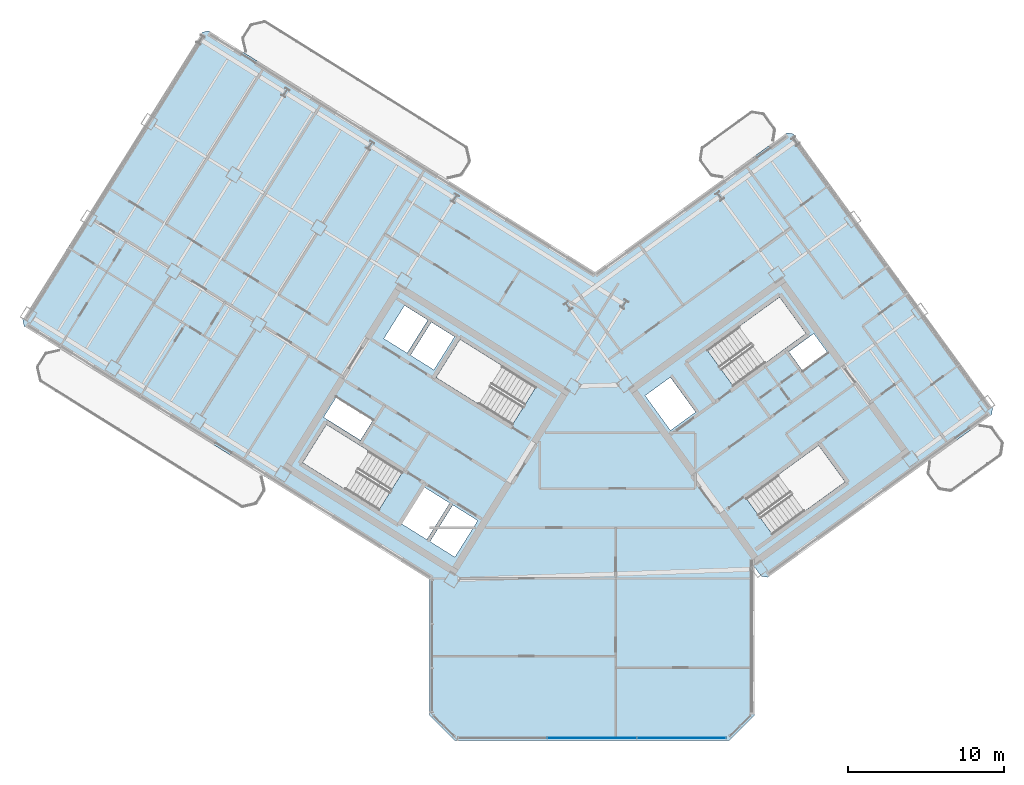
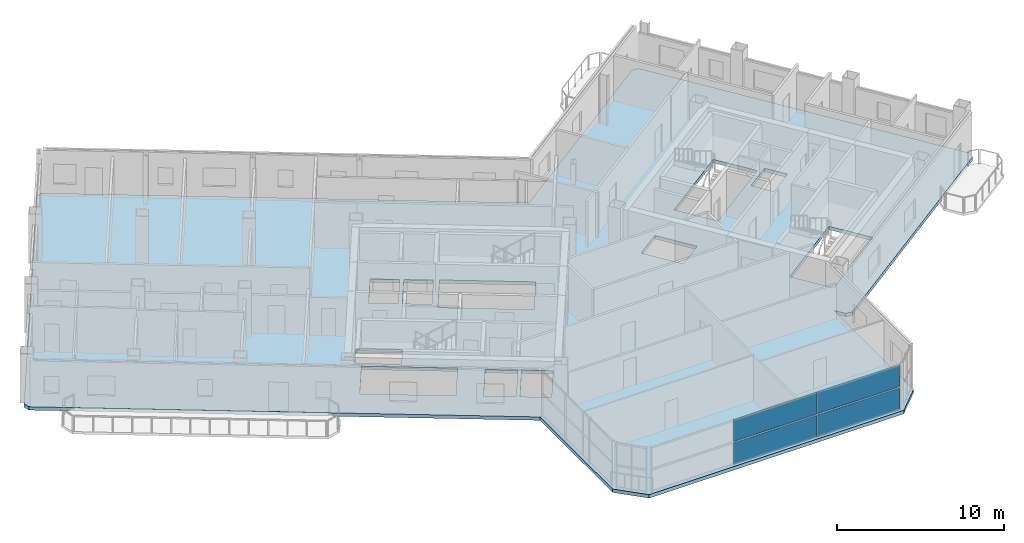
# One storey, part 9 of 21: 4 plates, 1 slab, 1 element without a shape of its own.
"""IFC4 building model written with IfcOpenShell, lengths in metres."""

import ifcopenshell
import ifcopenshell.guid

model = None  # the IFC model being written
_history = None  # IfcOwnerHistory: only IFC2X3 demands one
_inside = {}  # id of a spatial element -> (the spatial element, [elements in it])
_under = {}  # id of a project, library or spatial element -> (it, [spatial elements below it])
_declared = {}  # id of a project -> (the project, [libraries it declares])
_typed = {}  # id of a type object -> (the type object, [elements of that type])
_made_of = {}  # id of a material, layer set ... -> (it, [elements and type objects made of it])


def new_model(schema):
    """Start an empty IFC model of exactly this schema.

    Asked for "IFC4X3", IfcOpenShell would pick the latest addendum, in which some entities
    have other attributes; the version numbers below select the first issue.
    IFC2X3 requires an IfcOwnerHistory on every rooted entity: one is made here for all.
    """
    global model, _history
    if schema == "IFC4X3":
        model = ifcopenshell.file(schema_version=(4, 3, 0, 0))
    else:
        model = ifcopenshell.file(schema=schema)
    _inside.clear()
    _under.clear()
    _declared.clear()
    _typed.clear()
    _made_of.clear()
    _history = None
    if model.schema == "IFC2X3":
        org = make("IfcOrganization", Name="unknown")
        user = make(
            "IfcPersonAndOrganization",
            ThePerson=make("IfcPerson", FamilyName="unknown"),
            TheOrganization=org,
        )
        app = make(
            "IfcApplication",
            ApplicationDeveloper=org,
            Version="unknown",
            ApplicationFullName="unknown",
            ApplicationIdentifier="unknown",
        )
        _history = make(
            "IfcOwnerHistory",
            OwningUser=user,
            OwningApplication=app,
            ChangeAction="ADDED",
            CreationDate=0,
        )
    return model


def make(cls, **values):
    """One entity of the class cls with the attributes given. An attribute that is None is left unset."""
    return model.create_entity(
        cls, **{name: value for name, value in values.items() if value is not None}
    )


def rooted(cls, **values):
    """An entity with a GlobalId (a new one), such as an element, a storey or a relation."""
    return make(cls, GlobalId=ifcopenshell.guid.new(), OwnerHistory=_history, **values)


def si_unit(unit_type, name, prefix=None):
    """IfcSIUnit, for example si_unit("LENGTHUNIT", "METRE", prefix="MILLI")."""
    return make("IfcSIUnit", UnitType=unit_type, Prefix=prefix, Name=name)


def assignment(units):
    """IfcUnitAssignment: the units of a project."""
    return None if units is None else make("IfcUnitAssignment", Units=units)


def point(xyz):
    """IfcCartesianPoint."""
    return None if xyz is None else make("IfcCartesianPoint", Coordinates=xyz)


def direction(xyz):
    """IfcDirection."""
    return None if xyz is None else make("IfcDirection", DirectionRatios=xyz)


def frame(location, z_axis=None, x_axis=None):
    """IfcAxis2Placement3D, a coordinate frame: its origin and axes. An axis left out is left unset."""
    return make(
        "IfcAxis2Placement3D",
        Location=point(location),
        Axis=direction(z_axis),
        RefDirection=direction(x_axis),
    )


def frame_2d(location, x_axis=None):
    """IfcAxis2Placement2D, a coordinate frame in the plane: its origin and x axis."""
    return make(
        "IfcAxis2Placement2D", Location=point(location), RefDirection=direction(x_axis)
    )


def origin():
    """The frame at (0, 0, 0) with its axes left unset."""
    return frame((0.0, 0.0, 0.0))


def origin_2d():
    """The frame at (0, 0) in the plane with its x axis left unset."""
    return frame_2d((0.0, 0.0))


def place(relative_to, where):
    """IfcLocalPlacement: puts the frame where relative to a parent placement (None: the world)."""
    return make(
        "IfcLocalPlacement", PlacementRelTo=relative_to, RelativePlacement=where
    )


def context(
    kind, dimensions, precision=None, world=None, true_north=None, identifier=None
):
    """IfcGeometricRepresentationContext, for example the 3D "Model" context."""
    return make(
        "IfcGeometricRepresentationContext",
        ContextIdentifier=identifier,
        ContextType=kind,
        CoordinateSpaceDimension=dimensions,
        Precision=precision,
        WorldCoordinateSystem=world,
        TrueNorth=true_north,
    )


def subcontext(parent, identifier, kind, view, scale=None):
    """IfcGeometricRepresentationSubContext, for example "Body" below "Model"."""
    return make(
        "IfcGeometricRepresentationSubContext",
        ContextIdentifier=identifier,
        ContextType=kind,
        ParentContext=parent,
        TargetScale=scale,
        TargetView=view,
    )


def project(units=None, contexts=None):
    """IfcProject with its units and contexts."""
    return rooted(
        "IfcProject",
        Name="project",
        RepresentationContexts=contexts,
        UnitsInContext=assignment(units),
    )


def spatial(cls, under=None, at=None, **own):
    """A site, building, storey or space (cls), placed at a placement, below another one or the project."""
    s = rooted(cls, ObjectPlacement=at, **own)
    if under is not None:
        _under.setdefault(under.id(), (under, []))[1].append(s)
    return s


def polyline(points):
    """IfcPolyline through the points."""
    return make("IfcPolyline", Points=[point(p) for p in points])


def profile(cls, at=None, kind="AREA", **sizes):
    """A parametric profile (cls). Its sizes go by their IFC names, for example OverallWidth=200.0."""
    return make(cls, ProfileType=kind, Position=at, **sizes)


def rectangle(**sizes):
    """IfcRectangleProfileDef."""
    return profile("IfcRectangleProfileDef", **sizes)


def outline(outer, holes=None, kind="AREA"):
    """IfcArbitraryClosedProfileDef: a profile drawn as a closed curve; with holes, ...WithVoids."""
    if holes is None:
        return make("IfcArbitraryClosedProfileDef", ProfileType=kind, OuterCurve=outer)
    return make(
        "IfcArbitraryProfileDefWithVoids",
        ProfileType=kind,
        OuterCurve=outer,
        InnerCurves=holes,
    )


def extrude(swept, where, along, depth):
    """IfcExtrudedAreaSolid: the profile swept, set in the frame where, extruded along a direction by depth."""
    return make(
        "IfcExtrudedAreaSolid",
        SweptArea=swept,
        Position=where,
        ExtrudedDirection=direction(along),
        Depth=depth,
    )


def shape(context_of_items, identifier, shape_type, items):
    """IfcShapeRepresentation: the items that make up one representation, for example the "Body"."""
    return make(
        "IfcShapeRepresentation",
        ContextOfItems=context_of_items,
        RepresentationIdentifier=identifier,
        RepresentationType=shape_type,
        Items=items,
    )


def source(mapping_origin, context_of_items, identifier, shape_type, items):
    """IfcRepresentationMap: a shape defined once, which mapped items show again and again."""
    return make(
        "IfcRepresentationMap",
        MappingOrigin=mapping_origin,
        MappedRepresentation=shape(context_of_items, identifier, shape_type, items),
    )


def transform(
    local_origin,
    x_axis=None,
    y_axis=None,
    z_axis=None,
    scale=None,
    scale2=None,
    scale3=None,
    uniform=True,
):
    """IfcCartesianTransformationOperator3D, or its non-uniform kind. x_axis, y_axis, z_axis: its Axis1, 2, 3."""
    if uniform:
        return make(
            "IfcCartesianTransformationOperator3D",
            Axis1=direction(x_axis),
            Axis2=direction(y_axis),
            LocalOrigin=point(local_origin),
            Scale=scale,
            Axis3=direction(z_axis),
        )
    return make(
        "IfcCartesianTransformationOperator3DnonUniform",
        Axis1=direction(x_axis),
        Axis2=direction(y_axis),
        LocalOrigin=point(local_origin),
        Scale=scale,
        Axis3=direction(z_axis),
        Scale2=scale2,
        Scale3=scale3,
    )


def mapped(mapping_source, mapping_target):
    """IfcMappedItem: shows the shape of a source again, moved by a transform."""
    return make(
        "IfcMappedItem", MappingSource=mapping_source, MappingTarget=mapping_target
    )


def material(Name=None, Category=None):
    """IfcMaterial."""
    return make("IfcMaterial", Name=Name, Category=Category)


def layer(
    of_material, thickness, ventilated=None, Name=None, Category=None, Priority=None
):
    """IfcMaterialLayer: one layer of a wall or slab, of a material (None: an air gap)."""
    return make(
        "IfcMaterialLayer",
        Material=of_material,
        LayerThickness=thickness,
        IsVentilated=ventilated,
        Name=Name,
        Category=Category,
        Priority=Priority,
    )


def layer_set(layers, Name=None):
    """IfcMaterialLayerSet."""
    return make("IfcMaterialLayerSet", MaterialLayers=layers, LayerSetName=Name)


def made_of(thing, what):
    """Note that an element or type object is made of a material, layer set ...; save() writes the relation."""
    if what is not None:
        _made_of.setdefault(what.id(), (what, []))[1].append(thing)
    return thing


def type_object(cls, material=None, **own):
    """A type object (cls), such as IfcWallType, which elements share."""
    return made_of(rooted(cls, **own), material)


def element(
    cls,
    number,
    at=None,
    inside=None,
    cuts=None,
    type_object=None,
    material=None,
    context=None,
    identifier="Body",
    shape_type=None,
    held_by="IfcProductDefinitionShape",
    body=None,
    shapes=None,
    **own,
):
    """One element of the class cls, such as IfcWall. Its Tag is "e" and its number.

    at: its placement. inside: the storey or other place that contains it. cuts: it is an
    opening in that element (IfcRelVoidsElement). A single representation is given by context,
    identifier, shape_type and body (its items); several are given by shapes. held_by: the class
    of the entity that holds the representations. save() writes the other relations.
    """
    e = rooted(cls, Tag="e%d" % number, ObjectPlacement=at, **own)
    if body is not None:
        shapes = [shape(context, identifier, shape_type, body)]
    if shapes is not None:
        e.Representation = make(held_by, Representations=shapes)
    if inside is not None:
        _inside.setdefault(inside.id(), (inside, []))[1].append(e)
    if cuts is not None:
        rooted(
            "IfcRelVoidsElement", RelatingBuildingElement=cuts, RelatedOpeningElement=e
        )
    if type_object is not None:
        _typed.setdefault(type_object.id(), (type_object, []))[1].append(e)
    return made_of(e, material)


def aggregate(whole, parts):
    """IfcRelAggregates: a whole, such as a stair, and the parts it consists of."""
    return rooted("IfcRelAggregates", RelatingObject=whole, RelatedObjects=parts)


def save(model, path):
    """Write the relations noted so far, then the file.

    IfcRelAggregates (storeys below a building ...), IfcRelContainedInSpatialStructure (elements
    in a storey), IfcRelDefinesByType, IfcRelAssociatesMaterial and IfcRelDeclares: one each for
    every whole, place, type object, material and project.
    """
    for whole, parts in _under.values():
        aggregate(whole, parts)
    for where, things in _inside.values():
        rooted(
            "IfcRelContainedInSpatialStructure",
            RelatedElements=things,
            RelatingStructure=where,
        )
    for kind, things in _typed.values():
        rooted("IfcRelDefinesByType", RelatedObjects=things, RelatingType=kind)
    for what, things in _made_of.values():
        rooted("IfcRelAssociatesMaterial", RelatedObjects=things, RelatingMaterial=what)
    for by, libraries in _declared.values():
        rooted("IfcRelDeclares", RelatingContext=by, RelatedDefinitions=libraries)
    model.write(path)


model = new_model("IFC4")

# Units and contexts
model_context = context("Model", 3, precision=1e-05, world=origin(), true_north=direction((0.0, 1.0)))
body_context = subcontext(model_context, "Body", "Model", "MODEL_VIEW")
ifc_project = project(units=[si_unit("LENGTHUNIT", "METRE"), si_unit("AREAUNIT", "SQUARE_METRE"), si_unit("VOLUMEUNIT", "CUBIC_METRE"), si_unit("PLANEANGLEUNIT", "RADIAN"), si_unit("MASSUNIT", "GRAM", prefix="KILO")], contexts=[model_context])

# Site, building, storey
site_placement = place(None, origin())
site = spatial("IfcSite", under=ifc_project, at=site_placement, CompositionType="ELEMENT")
building_placement = place(site_placement, origin())
building = spatial("IfcBuilding", under=site, at=building_placement, Name="Tlacorven Tower", CompositionType="ELEMENT")
storey_placement = place(building_placement, frame((0.0, 0.0, 214.800048828125)))
storey = spatial("IfcBuildingStorey", under=building, at=storey_placement, Name="L54", CompositionType="ELEMENT", Elevation=214.800048828125)

# Slab
ifc_material_1 = material(Name="Concrete C40/50", Category="concrete")
ifc_layer_1 = layer(ifc_material_1, 0.25)
ifc_layer_set_1 = layer_set([ifc_layer_1], Name="Concrete C40/50")
slab_type = type_object("IfcSlabType", Name="SL-TWR-250", PredefinedType="FLOOR", material=ifc_layer_set_1)
slab_placement = place(storey_placement, frame((0.0, 0.0, -0.25)))
element("IfcSlab", 1, at=slab_placement, inside=storey, type_object=slab_type, Name="L54 Boomerang Tower Floor Slab", PredefinedType="FLOOR", context=body_context, shape_type="SweptSolid", body=[
    extrude(outline(polyline([(52.39990234375, 3.39990234375), (50.800048828125, 1.800048828125), (33.199951171875, 1.800048828125), (31.60009765625, 3.39990234375), (31.60009765625, 12.09423828125), (5.62451171875, 28.32568359375), (5.529052734375, 28.739013671875), (17.0390625, 47.15869140625), (17.452392578125, 47.254150390625), (42.19970703125, 31.790283203125), (54.481689453125, 40.713623046875), (54.90087890625, 40.647216796875), (67.66748046875, 23.075439453125), (67.60107421875, 22.656494140625), (53.265380859375, 12.24072265625), (52.846435546875, 12.30712890625), (52.39990234375, 12.921630859375), (52.39990234375, 3.39990234375)]), holes=[polyline([(29.865478515625, 18.979736328125), (24.9892578125, 22.02685546875), (23.463134765625, 19.58447265625), (28.33935546875, 16.537353515625), (29.865478515625, 18.979736328125)]), polyline([(38.4169921875, 24.4375), (33.540771484375, 27.484375), (32.0146484375, 25.0419921875), (36.890869140625, 21.9951171875), (38.4169921875, 24.4375)]), polyline([(51.05908203125, 24.481689453125), (55.7109375, 27.861572265625), (54.01806640625, 30.19140625), (49.3662109375, 26.811767578125), (51.05908203125, 24.481689453125)]), polyline([(53.56298828125, 14.978759765625), (58.21484375, 18.3583984375), (56.52197265625, 20.6884765625), (51.8701171875, 17.30859375), (53.56298828125, 14.978759765625)]), polyline([(34.682373046875, 15.87548828125), (33.088134765625, 16.871826171875), (31.62548828125, 14.531005859375), (33.2197265625, 13.534912109375), (34.682373046875, 15.87548828125)]), polyline([(32.884521484375, 16.9990234375), (31.2392578125, 18.02685546875), (29.77685546875, 15.686279296875), (31.421875, 14.658203125), (32.884521484375, 16.9990234375)]), polyline([(47.0234375, 21.648681640625), (48.6416015625, 22.82421875), (47.019287109375, 25.05712890625), (45.401123046875, 23.881591796875), (47.0234375, 21.648681640625)]), polyline([(33.197265625, 27.65185546875), (31.704833984375, 28.58447265625), (30.3798828125, 26.46435546875), (31.87255859375, 25.53173828125), (33.197265625, 27.65185546875)]), polyline([(31.484375, 28.722412109375), (29.99169921875, 29.655029296875), (28.6669921875, 27.534912109375), (30.159423828125, 26.602294921875), (31.484375, 28.722412109375)]), polyline([(27.96142578125, 22.2919921875), (25.603759765625, 23.76513671875), (24.80908203125, 22.4931640625), (27.16650390625, 21.02001953125), (27.96142578125, 22.2919921875)]), polyline([(55.490478515625, 25.4765625), (57.092529296875, 26.640380859375), (56.210693359375, 27.85400390625), (54.60888671875, 26.690185546875), (55.490478515625, 25.4765625)])]), origin(), (0.0, 0.0, 1.0), 0.25),
])

# Curtain wall, plates
ifc_material_2 = material(Name="Dark solar low-E double glazing in aluminium frame", Category="aluminium")
curtain_wall_type = type_object("IfcCurtainWallType", Name="CW-TWR-HIGH", PredefinedType="USERDEFINED", material=ifc_material_2)
curtain_wall_placement = place(storey_placement, origin())
curtain_wall = element("IfcCurtainWall", 2, at=curtain_wall_placement, inside=storey, type_object=curtain_wall_type, Name="L54 CW-TWR-HIGH Curtain Wall 245", ObjectType="UNITISED CURTAIN WALL", PredefinedType="USERDEFINED")
ifc_material_3 = material(Name="High-wind dark solar tempered low-E glazing", Category="glass")
ifc_layer_2 = layer(ifc_material_3, 0.028076171875)
ifc_layer_set_2 = layer_set([ifc_layer_2], Name="High-wind dark solar tempered low-E glazing")
plate_type = type_object("IfcPlateType", Name="CWP-03", PredefinedType="CURTAIN_PANEL", material=ifc_layer_set_2)
shared_shape_1 = source(origin(), body_context, "Body", "SweptSolid", [
    extrude(rectangle(XDim=5.683837890625, YDim=0.028076171875, at=origin_2d()), origin(), (0.0, 0.0, 1.0), 1.572998046875),
])
plate_1_placement = place(storey_placement, frame((47.74072265625, 1.9599609375, 0.05078125), z_axis=(0.0, 0.0, 1.0), x_axis=(-1.0, 0.0, 0.0)))
plate_1 = element("IfcPlate", 3, at=plate_1_placement, type_object=plate_type, Name="CW-L54-245 Glazing Panel 1", PredefinedType="CURTAIN_PANEL", context=body_context, shape_type="MappedRepresentation", body=[
    mapped(shared_shape_1, transform((0.0, 0.0, 0.0), scale=1.0)),
])
plate_2_placement = place(storey_placement, frame((47.74072265625, 1.9599609375, 1.72607421875), z_axis=(0.0, 0.0, 1.0), x_axis=(-1.0, 0.0, 0.0)))
plate_2 = element("IfcPlate", 4, at=plate_2_placement, type_object=plate_type, Name="CW-L54-245 Glazing Panel 2", PredefinedType="CURTAIN_PANEL", context=body_context, shape_type="MappedRepresentation", body=[
    mapped(shared_shape_1, transform((0.0, 0.0, 0.0), scale=1.0)),
])
shared_shape_2 = source(origin(), body_context, "Body", "SweptSolid", [
    extrude(rectangle(XDim=5.7138671875, YDim=0.028076171875, at=origin_2d()), origin(), (0.0, 0.0, 1.0), 1.572998046875),
])
plate_3_placement = place(storey_placement, frame((42.0, 1.9599609375, 0.05078125), z_axis=(0.0, 0.0, 1.0), x_axis=(-1.0, 0.0, 0.0)))
plate_3 = element("IfcPlate", 5, at=plate_3_placement, type_object=plate_type, Name="CW-L54-245 Glazing Panel 3", PredefinedType="CURTAIN_PANEL", context=body_context, shape_type="MappedRepresentation", body=[
    mapped(shared_shape_2, transform((0.0, 0.0, 0.0), scale=1.0)),
])
plate_4_placement = place(storey_placement, frame((42.0, 1.9599609375, 1.72607421875), z_axis=(0.0, 0.0, 1.0), x_axis=(-1.0, 0.0, 0.0)))
plate_4 = element("IfcPlate", 6, at=plate_4_placement, type_object=plate_type, Name="CW-L54-245 Glazing Panel 4", PredefinedType="CURTAIN_PANEL", context=body_context, shape_type="MappedRepresentation", body=[
    mapped(shared_shape_2, transform((0.0, 0.0, 0.0), scale=1.0)),
])
aggregate(curtain_wall, [plate_1, plate_2, plate_3, plate_4])

save(model, "model.ifc")
